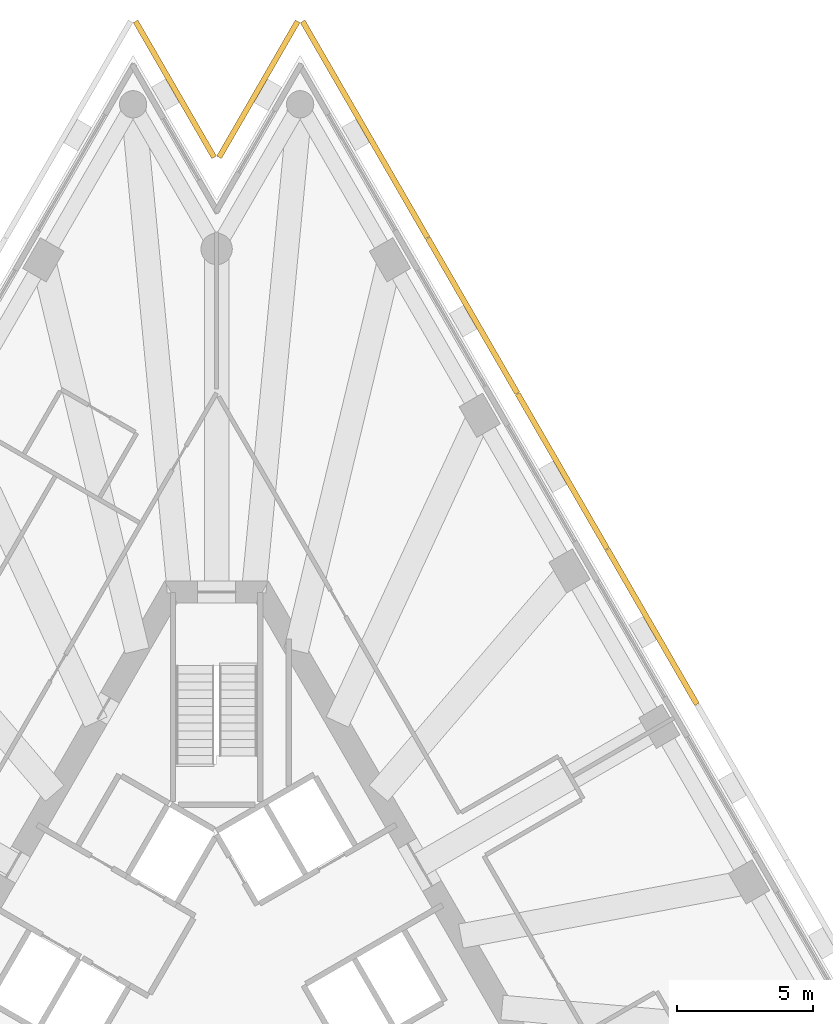
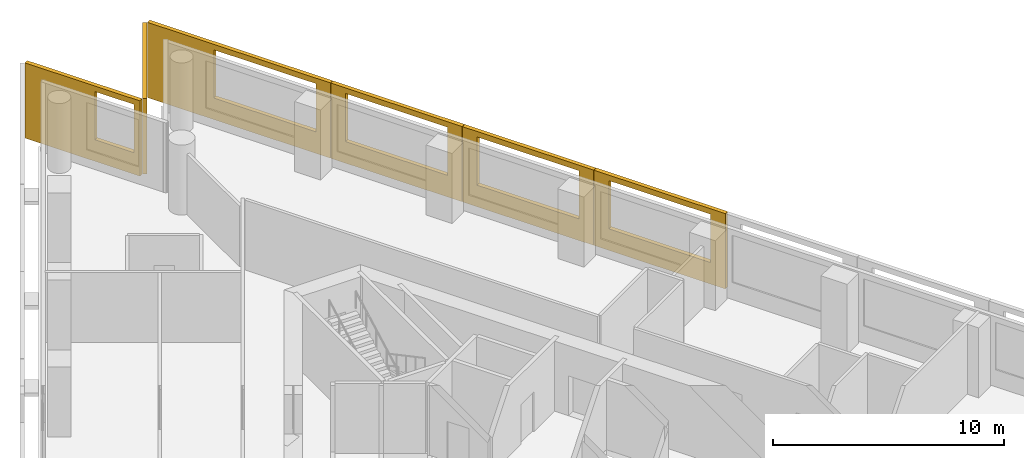
# One storey, part 10 of 10: 6 shading devices.
"""IFC4 building model written with IfcOpenShell, lengths in metres."""

from ifc_helpers import new_model, si_unit, direction, frame, origin, place, context, subcontext, project, spatial, polyline, outline, extrude, material, layer, layer_set, type_object, element, save


model = new_model("IFC4")

# Units and contexts
model_context = context("Model", 3, precision=1e-05, world=origin(), true_north=direction((0.0, 1.0)))
body_context = subcontext(model_context, "Body", "Model", "MODEL_VIEW")
ifc_project = project(units=[si_unit("LENGTHUNIT", "METRE"), si_unit("AREAUNIT", "SQUARE_METRE"), si_unit("VOLUMEUNIT", "CUBIC_METRE"), si_unit("PLANEANGLEUNIT", "RADIAN"), si_unit("MASSUNIT", "GRAM", prefix="KILO")], contexts=[model_context])

# Site, building, storey
site_placement = place(None, origin())
site = spatial("IfcSite", under=ifc_project, at=site_placement, CompositionType="ELEMENT")
building_placement = place(site_placement, origin())
building = spatial("IfcBuilding", under=site, at=building_placement, Name="Triada Interchange Tower", CompositionType="ELEMENT")
storey_placement = place(building_placement, frame((0.0, 0.0, 156.300048828125)))
storey = spatial("IfcBuildingStorey", under=building, at=storey_placement, Name="L36", CompositionType="ELEMENT", Elevation=156.300048828125)

# Shading devices
ifc_material = material(Name="Concrete C50/60 precast", Category="concrete")
ifc_layer_1 = layer(ifc_material, 0.02001953125, Name="Exposed aggregate face")
ifc_layer_2 = layer(ifc_material, 0.179931640625, Name="Precast concrete screen")
ifc_layer_set = layer_set([ifc_layer_1, ifc_layer_2], Name="Outer skin screen panel 3980")
shading_device_type = type_object("IfcShadingDeviceType", Name="Outer skin screen panel 3980", PredefinedType="SHUTTER", material=ifc_layer_set)
shading_device_1_placement = place(storey_placement, frame((17.529052734375, 10.132080078125, -0.2900390625), z_axis=(0.0, 0.0, 1.0), x_axis=(-0.500014285048, 0.866017156151, 0.0)))
element("IfcShadingDevice", 1, at=shading_device_1_placement, inside=storey, type_object=shading_device_type, Name="Outer skin screen panel L36 25", PredefinedType="SHUTTER", context=body_context, shape_type="SweptSolid", body=[
    extrude(outline(polyline([(0.0, 0.0), (6.565673828125, 0.0), (6.565673828125, 3.97998046875), (0.0, 3.97998046875), (0.0, 0.0)]), holes=[polyline([(0.733154296875, 1.139892578125), (0.733154296875, 3.68994140625), (5.8330078125, 3.68994140625), (5.8330078125, 1.139892578125), (0.733154296875, 1.139892578125)])]), frame((0.0, 0.0, 0.0), z_axis=(0.0, -1.0, 0.0), x_axis=(1.0, 0.0, 0.0)), (0.0, 0.0, 1.0), 0.199951171875),
])
for number, where, z_axis, x_axis, name in (
    (2, (14.236083984375, 15.8349609375, -0.2900390625), (0.0, 0.0, 1.0), (-0.499977771575, 0.866038236991, 0.0), "Outer skin screen panel L36 26"),
    (3, (10.943115234375, 21.5390625, -0.2900390625), (0.0, 0.0, 1.0), (-0.499977771575, 0.866038236991, 0.0), "Outer skin screen panel L36 27"),
):
    element("IfcShadingDevice", number, at=place(storey_placement, frame(where, z_axis=z_axis, x_axis=x_axis)), inside=storey, type_object=shading_device_type, Name=name, PredefinedType="SHUTTER", context=body_context, shape_type="SweptSolid", body=[
        extrude(outline(polyline([(0.0, 0.0), (6.566650390625, 0.0), (6.566650390625, 3.97998046875), (0.0, 3.97998046875), (0.0, 0.0)]), holes=[polyline([(0.733154296875, 1.139892578125), (0.733154296875, 3.68994140625), (5.8330078125, 3.68994140625), (5.8330078125, 1.139892578125), (0.733154296875, 1.139892578125)])]), frame((0.0, 0.0, 0.0), z_axis=(0.0, -1.0, 0.0), x_axis=(1.0, 0.0, 0.0)), (0.0, 0.0, 1.0), 0.199951171875),
    ])
shading_device_2_placement = place(storey_placement, frame((7.64990234375, 27.242919921875, -0.2900390625), z_axis=(0.0, 0.0, 1.0), x_axis=(-0.499993049377, 0.866029416691, 0.0)))
element("IfcShadingDevice", 4, at=shading_device_2_placement, inside=storey, type_object=shading_device_type, Name="Outer skin screen panel L36 28", PredefinedType="SHUTTER", context=body_context, shape_type="SweptSolid", body=[
    extrude(outline(polyline([(0.0, 0.0), (9.163818359375, 0.0), (9.163818359375, 3.97998046875), (0.0, 3.97998046875), (0.0, 0.0)]), holes=[polyline([(0.73291015625, 1.139892578125), (0.73291015625, 3.68994140625), (5.8330078125, 3.68994140625), (5.8330078125, 1.139892578125), (0.73291015625, 1.139892578125)])]), frame((0.0, 0.0, 0.0), z_axis=(0.0, -1.0, 0.0), x_axis=(1.0, 0.0, 0.0)), (0.0, 0.0, 1.0), 0.199951171875),
])
shading_device_3_placement = place(storey_placement, frame((3.05810546875, 35.178955078125, -0.2900390625), z_axis=(0.0, 0.0, 1.0), x_axis=(-0.50011019818, -0.865961771487, 0.0)))
element("IfcShadingDevice", 5, at=shading_device_3_placement, inside=storey, type_object=shading_device_type, Name="Outer skin screen panel L36 29", PredefinedType="SHUTTER", context=body_context, shape_type="SweptSolid", body=[
    extrude(outline(polyline([(0.0, 0.0), (5.759033203125, 0.0), (5.759033203125, 3.97998046875), (0.0, 3.97998046875), (0.0, 0.0)]), holes=[polyline([(3.175537109375, 1.139892578125), (3.175537109375, 3.68994140625), (5.45947265625, 3.68994140625), (5.45947265625, 1.139892578125), (3.175537109375, 1.139892578125)])]), frame((0.0, 0.0, 0.0), z_axis=(0.0, -1.0, 0.0), x_axis=(1.0, 0.0, 0.0)), (0.0, 0.0, 1.0), 0.199951171875),
])
shading_device_4_placement = place(storey_placement, frame((-0.177978515625, 30.19189453125, -0.2900390625), z_axis=(0.0, 0.0, 1.0), x_axis=(-0.50011019818, 0.865961771487, 0.0)))
element("IfcShadingDevice", 6, at=shading_device_4_placement, inside=storey, type_object=shading_device_type, Name="Outer skin screen panel L36 30", PredefinedType="SHUTTER", context=body_context, shape_type="SweptSolid", body=[
    extrude(outline(polyline([(0.0, 0.0), (5.759033203125, 0.0), (5.759033203125, 3.97998046875), (0.0, 3.97998046875), (0.0, 0.0)]), holes=[polyline([(0.300048828125, 1.139892578125), (0.300048828125, 3.68994140625), (2.2578125, 3.68994140625), (2.2578125, 1.139892578125), (0.300048828125, 1.139892578125)])]), frame((0.0, 0.0, 0.0), z_axis=(0.0, -1.0, 0.0), x_axis=(1.0, 0.0, 0.0)), (0.0, 0.0, 1.0), 0.199951171875),
])

save(model, "model.ifc")
